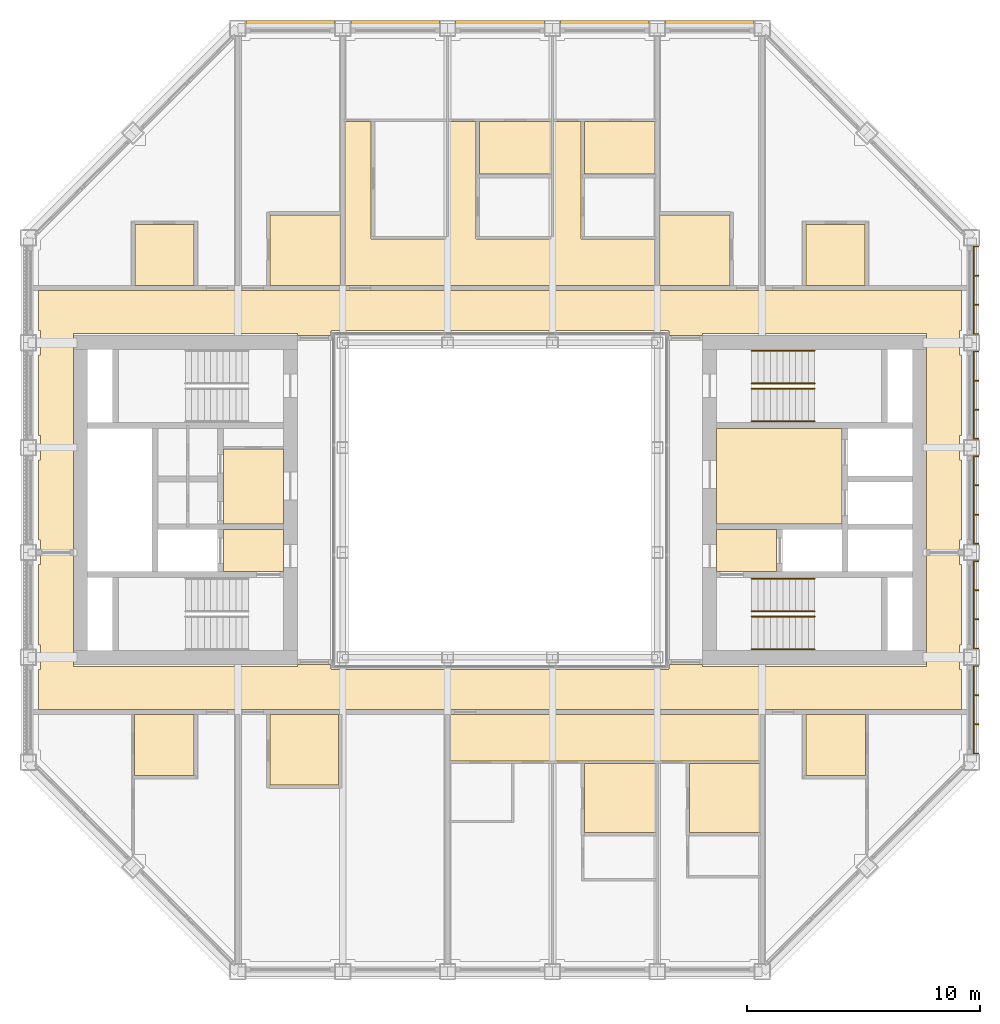
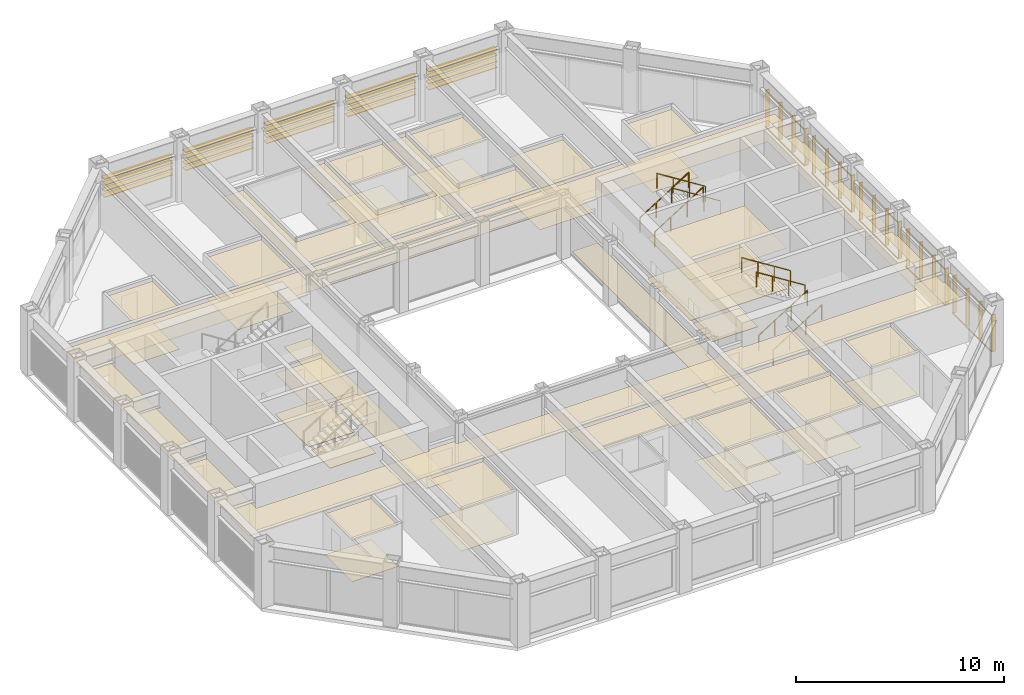
# One storey, part 17 of 17: 8 railings, 4 coverings, 2 shading devices.
"""IFC4 building model written with IfcOpenShell, lengths in metres."""

from ifc_helpers import new_model, si_unit, direction, frame, origin, origin_2d, place, context, subcontext, project, spatial, line, indexed_curve, rectangle, circle, outline, extrude, material, layer, layer_set, type_object, element, save


model = new_model("IFC4")

# Units and contexts
model_context = context("Model", 3, precision=1e-05, world=origin(), true_north=direction((0.0, 1.0)))
body_context = subcontext(model_context, "Body", "Model", "MODEL_VIEW")
ifc_project = project(units=[si_unit("LENGTHUNIT", "METRE"), si_unit("AREAUNIT", "SQUARE_METRE"), si_unit("VOLUMEUNIT", "CUBIC_METRE"), si_unit("PLANEANGLEUNIT", "RADIAN"), si_unit("MASSUNIT", "GRAM", prefix="KILO")], contexts=[model_context])

# Site, building, storey
site_placement = place(None, origin())
site = spatial("IfcSite", under=ifc_project, at=site_placement, CompositionType="ELEMENT")
building_placement = place(site_placement, origin())
building = spatial("IfcBuilding", under=site, at=building_placement, Name="Msasa Ring Tower", CompositionType="ELEMENT")
storey_placement = place(building_placement, frame((0.0, 0.0, 242.050048828125)))
storey = spatial("IfcBuildingStorey", under=building, at=storey_placement, Name="L63", CompositionType="ELEMENT", Elevation=242.050048828125)

# Shading device
ifc_material_1 = material(Name="Extruded terracotta on aluminium carriers", Category="masonry")
shading_device_type_1 = type_object("IfcShadingDeviceType", Name="BS2 TERRACOTTA FIN SCREEN 40x200 AT 1350", PredefinedType="USERDEFINED", material=ifc_material_1)
shading_device_1_placement = place(storey_placement, origin())
element("IfcShadingDevice", 1, at=shading_device_1_placement, inside=storey, type_object=shading_device_type_1, Name="Terracotta fin screen E L63", ObjectType="BAGUETTE", PredefinedType="USERDEFINED", context=body_context, shape_type="SweptSolid", body=[
    extrude(rectangle(XDim=0.06005859375, YDim=0.0400390625, at=origin_2d()), frame((20.330078125, -10.89990234375, 0.329833984375), z_axis=(0.0, 1.0, 0.0), x_axis=(0.0, 0.0, 1.0)), (0.0, 0.0, 1.0), 3.800048828125),
    extrude(rectangle(XDim=0.06005859375, YDim=0.0400390625, at=origin_2d()), frame((20.330078125, -10.89990234375, 2.448974609375), z_axis=(0.0, 1.0, 0.0), x_axis=(0.0, 0.0, 1.0)), (0.0, 0.0, 1.0), 3.800048828125),
    extrude(rectangle(XDim=0.0400390625, YDim=0.199951171875, at=origin_2d()), frame((20.445068359375, -10.8798828125, 0.300048828125), z_axis=(0.0, 0.0, 1.0), x_axis=(0.0, 1.0, 0.0)), (0.0, 0.0, 1.0), 2.178955078125),
    extrude(rectangle(XDim=0.0400390625, YDim=0.199951171875, at=origin_2d()), frame((20.445068359375, -9.626708984375, 0.300048828125), z_axis=(0.0, 0.0, 1.0), x_axis=(0.0, 1.0, 0.0)), (0.0, 0.0, 1.0), 2.178955078125),
    extrude(rectangle(XDim=0.0400390625, YDim=0.199951171875, at=origin_2d()), frame((20.445068359375, -8.373291015625, 0.300048828125), z_axis=(0.0, 0.0, 1.0), x_axis=(0.0, 1.0, 0.0)), (0.0, 0.0, 1.0), 2.178955078125),
    extrude(rectangle(XDim=0.0400390625, YDim=0.199951171875, at=origin_2d()), frame((20.445068359375, -7.1201171875, 0.300048828125), z_axis=(0.0, 0.0, 1.0), x_axis=(0.0, 1.0, 0.0)), (0.0, 0.0, 1.0), 2.178955078125),
    extrude(rectangle(XDim=0.06005859375, YDim=0.0400390625, at=origin_2d()), frame((20.330078125, -6.39990234375, 0.329833984375), z_axis=(0.0, 1.0, 0.0), x_axis=(0.0, 0.0, 1.0)), (0.0, 0.0, 1.0), 3.800048828125),
    extrude(rectangle(XDim=0.06005859375, YDim=0.0400390625, at=origin_2d()), frame((20.330078125, -6.39990234375, 2.448974609375), z_axis=(0.0, 1.0, 0.0), x_axis=(0.0, 0.0, 1.0)), (0.0, 0.0, 1.0), 3.800048828125),
    extrude(rectangle(XDim=0.0400390625, YDim=0.199951171875, at=origin_2d()), frame((20.445068359375, -6.3798828125, 0.300048828125), z_axis=(0.0, 0.0, 1.0), x_axis=(0.0, 1.0, 0.0)), (0.0, 0.0, 1.0), 2.178955078125),
    extrude(rectangle(XDim=0.0400390625, YDim=0.199951171875, at=origin_2d()), frame((20.445068359375, -5.126708984375, 0.300048828125), z_axis=(0.0, 0.0, 1.0), x_axis=(0.0, 1.0, 0.0)), (0.0, 0.0, 1.0), 2.178955078125),
    extrude(rectangle(XDim=0.0400390625, YDim=0.199951171875, at=origin_2d()), frame((20.445068359375, -3.873291015625, 0.300048828125), z_axis=(0.0, 0.0, 1.0), x_axis=(0.0, 1.0, 0.0)), (0.0, 0.0, 1.0), 2.178955078125),
    extrude(rectangle(XDim=0.0400390625, YDim=0.199951171875, at=origin_2d()), frame((20.445068359375, -2.6201171875, 0.300048828125), z_axis=(0.0, 0.0, 1.0), x_axis=(0.0, 1.0, 0.0)), (0.0, 0.0, 1.0), 2.178955078125),
    extrude(rectangle(XDim=0.06005859375, YDim=0.0400390625, at=origin_2d()), frame((20.330078125, -1.89990234375, 0.329833984375), z_axis=(0.0, 1.0, 0.0), x_axis=(0.0, 0.0, 1.0)), (0.0, 0.0, 1.0), 3.800048828125),
    extrude(rectangle(XDim=0.06005859375, YDim=0.0400390625, at=origin_2d()), frame((20.330078125, -1.89990234375, 2.448974609375), z_axis=(0.0, 1.0, 0.0), x_axis=(0.0, 0.0, 1.0)), (0.0, 0.0, 1.0), 3.800048828125),
    extrude(rectangle(XDim=0.0400390625, YDim=0.199951171875, at=origin_2d()), frame((20.445068359375, -1.8798828125, 0.300048828125), z_axis=(0.0, 0.0, 1.0), x_axis=(0.0, 1.0, 0.0)), (0.0, 0.0, 1.0), 2.178955078125),
    extrude(rectangle(XDim=0.0400390625, YDim=0.199951171875, at=origin_2d()), frame((20.445068359375, -0.626708984375, 0.300048828125), z_axis=(0.0, 0.0, 1.0), x_axis=(0.0, 1.0, 0.0)), (0.0, 0.0, 1.0), 2.178955078125),
    extrude(rectangle(XDim=0.0400390625, YDim=0.199951171875, at=origin_2d()), frame((20.445068359375, 0.626708984375, 0.300048828125), z_axis=(0.0, 0.0, 1.0), x_axis=(0.0, 1.0, 0.0)), (0.0, 0.0, 1.0), 2.178955078125),
    extrude(rectangle(XDim=0.0400390625, YDim=0.199951171875, at=origin_2d()), frame((20.445068359375, 1.8798828125, 0.300048828125), z_axis=(0.0, 0.0, 1.0), x_axis=(0.0, 1.0, 0.0)), (0.0, 0.0, 1.0), 2.178955078125),
    extrude(rectangle(XDim=0.06005859375, YDim=0.0400390625, at=origin_2d()), frame((20.330078125, 2.60009765625, 0.329833984375), z_axis=(0.0, 1.0, 0.0), x_axis=(0.0, 0.0, 1.0)), (0.0, 0.0, 1.0), 3.800048828125),
    extrude(rectangle(XDim=0.06005859375, YDim=0.0400390625, at=origin_2d()), frame((20.330078125, 2.60009765625, 2.448974609375), z_axis=(0.0, 1.0, 0.0), x_axis=(0.0, 0.0, 1.0)), (0.0, 0.0, 1.0), 3.800048828125),
    extrude(rectangle(XDim=0.0400390625, YDim=0.199951171875, at=origin_2d()), frame((20.445068359375, 2.6201171875, 0.300048828125), z_axis=(0.0, 0.0, 1.0), x_axis=(0.0, 1.0, 0.0)), (0.0, 0.0, 1.0), 2.178955078125),
    extrude(rectangle(XDim=0.0400390625, YDim=0.199951171875, at=origin_2d()), frame((20.445068359375, 3.873291015625, 0.300048828125), z_axis=(0.0, 0.0, 1.0), x_axis=(0.0, 1.0, 0.0)), (0.0, 0.0, 1.0), 2.178955078125),
    extrude(rectangle(XDim=0.0400390625, YDim=0.199951171875, at=origin_2d()), frame((20.445068359375, 5.126708984375, 0.300048828125), z_axis=(0.0, 0.0, 1.0), x_axis=(0.0, 1.0, 0.0)), (0.0, 0.0, 1.0), 2.178955078125),
    extrude(rectangle(XDim=0.0400390625, YDim=0.199951171875, at=origin_2d()), frame((20.445068359375, 6.3798828125, 0.300048828125), z_axis=(0.0, 0.0, 1.0), x_axis=(0.0, 1.0, 0.0)), (0.0, 0.0, 1.0), 2.178955078125),
    extrude(rectangle(XDim=0.06005859375, YDim=0.0400390625, at=origin_2d()), frame((20.330078125, 7.10009765625, 0.329833984375), z_axis=(0.0, 1.0, 0.0), x_axis=(0.0, 0.0, 1.0)), (0.0, 0.0, 1.0), 3.800048828125),
    extrude(rectangle(XDim=0.06005859375, YDim=0.0400390625, at=origin_2d()), frame((20.330078125, 7.10009765625, 2.448974609375), z_axis=(0.0, 1.0, 0.0), x_axis=(0.0, 0.0, 1.0)), (0.0, 0.0, 1.0), 3.800048828125),
    extrude(rectangle(XDim=0.0400390625, YDim=0.199951171875, at=origin_2d()), frame((20.445068359375, 7.1201171875, 0.300048828125), z_axis=(0.0, 0.0, 1.0), x_axis=(0.0, 1.0, 0.0)), (0.0, 0.0, 1.0), 2.178955078125),
    extrude(rectangle(XDim=0.0400390625, YDim=0.199951171875, at=origin_2d()), frame((20.445068359375, 8.373291015625, 0.300048828125), z_axis=(0.0, 0.0, 1.0), x_axis=(0.0, 1.0, 0.0)), (0.0, 0.0, 1.0), 2.178955078125),
    extrude(rectangle(XDim=0.0400390625, YDim=0.199951171875, at=origin_2d()), frame((20.445068359375, 9.626708984375, 0.300048828125), z_axis=(0.0, 0.0, 1.0), x_axis=(0.0, 1.0, 0.0)), (0.0, 0.0, 1.0), 2.178955078125),
    extrude(rectangle(XDim=0.0400390625, YDim=0.199951171875, at=origin_2d()), frame((20.445068359375, 10.8798828125, 0.300048828125), z_axis=(0.0, 0.0, 1.0), x_axis=(0.0, 1.0, 0.0)), (0.0, 0.0, 1.0), 2.178955078125),
])

# Coverings
ifc_material_2 = material(Name="Gypsum plasterboard on a steel suspension grid", Category="steel")
ifc_layer_1 = layer(ifc_material_2, 0.014892578125)
ifc_layer_set_1 = layer_set([ifc_layer_1], Name="C1 SUSPENDED PLASTERBOARD CEILING 15")
covering_type_1 = type_object("IfcCoveringType", Name="C1 SUSPENDED PLASTERBOARD CEILING 15", PredefinedType="CEILING", material=ifc_layer_set_1)
covering_1_placement = place(storey_placement, frame((0.0, 0.0, 2.39990234375)))
element("IfcCovering", 2, at=covering_1_placement, inside=storey, type_object=covering_type_1, Name="Suspended Plasterboard Ceiling 15 circulation L63", PredefinedType="CEILING", context=body_context, shape_type="SweptSolid", body=[
    extrude(outline(indexed_curve([(8.699462890625, -7.150390625), (18.300537109375, -7.150390625), (18.300537109375, -2.3505859375), (19.724609375, -2.3505859375), (19.724609375, -2.775390625), (19.799560546875, -2.775390625), (19.799560546875, -6.224609375), (19.724609375, -6.224609375), (19.724609375, -7.275390625), (19.799560546875, -7.275390625), (19.799560546875, -8.99951171875), (-19.799560546875, -8.99951171875), (-19.799560546875, -7.275390625), (-19.724609375, -7.275390625), (-19.724609375, -6.224609375), (-19.799560546875, -6.224609375), (-19.799560546875, -2.775390625), (-19.724609375, -2.775390625), (-19.724609375, -2.3505859375), (-18.300537109375, -2.3505859375), (-18.300537109375, -7.150390625), (-8.699462890625, -7.150390625), (-8.699462890625, -7.050537109375), (-7.280029296875, -7.050537109375), (-7.280517578125, -7.23046875), (-7.22998046875, -7.23046875), (-7.22998046875, -7.280029296875), (7.22998046875, -7.280029296875), (7.22998046875, -7.23046875), (7.280517578125, -7.23046875), (7.280029296875, -7.050537109375), (8.699462890625, -7.050537109375)], segments=[line(1, 2, 3, 4, 5, 6, 7, 8, 9, 10, 11, 12, 13, 14, 15, 16, 17, 18, 19, 20, 21, 22, 23, 24, 25, 26, 27, 28, 29, 30, 31, 32, 1)], self_intersect=False)), origin(), (0.0, 0.0, 1.0), 0.01513671875),
    extrude(outline(indexed_curve([(19.799560546875, 7.275390625), (19.724609375, 7.275390625), (19.724609375, 6.224609375), (19.799560546875, 6.224609375), (19.799560546875, 2.775390625), (19.724609375, 2.775390625), (19.724609375, 1.724609375), (19.799560546875, 1.724609375), (19.799560546875, -1.724609375), (19.724609375, -1.724609375), (19.724609375, -2.1494140625), (18.300537109375, -2.1494140625), (18.300537109375, 7.150390625), (8.699462890625, 7.150390625), (8.699462890625, 7.050537109375), (7.280029296875, 7.050537109375), (7.280517578125, 7.23046875), (7.22998046875, 7.23046875), (7.22998046875, 7.280029296875), (-7.22998046875, 7.280029296875), (-7.22998046875, 7.23046875), (-7.280517578125, 7.23046875), (-7.280029296875, 7.050537109375), (-8.699462890625, 7.050537109375), (-8.699462890625, 7.150390625), (-18.300537109375, 7.150390625), (-18.300537109375, -2.1494140625), (-19.724609375, -2.1494140625), (-19.724609375, -1.724609375), (-19.799560546875, -1.724609375), (-19.799560546875, 1.724609375), (-19.724609375, 1.724609375), (-19.724609375, 2.775390625), (-19.799560546875, 2.775390625), (-19.799560546875, 6.224609375), (-19.724609375, 6.224609375), (-19.724609375, 7.275390625), (-19.799560546875, 7.275390625), (-19.799560546875, 8.99951171875), (19.799560546875, 8.99951171875)], segments=[line(1, 2, 3, 4, 5, 6, 7, 8, 9, 10, 11, 12, 13, 14, 15, 16, 17, 18, 19, 20, 21, 22, 23, 24, 25, 26, 27, 28, 29, 30, 31, 32, 33, 34, 35, 36, 37, 38, 39, 40, 1)], self_intersect=False)), origin(), (0.0, 0.0, 1.0), 0.01513671875),
    extrude(outline(indexed_curve([(-11.87451171875, -3.074462890625), (-11.87451171875, -1.275390625), (-9.300537109375, -1.275390625), (-9.300537109375, -3.074462890625)], segments=[line(1, 2, 3, 4, 1)], self_intersect=False)), origin(), (0.0, 0.0, 1.0), 0.01513671875),
    extrude(outline(indexed_curve([(-11.87451171875, -1.0244140625), (-11.87451171875, 2.194580078125), (-9.300537109375, 2.194580078125), (-9.300537109375, -1.0244140625)], segments=[line(1, 2, 3, 4, 1)], self_intersect=False)), origin(), (0.0, 0.0, 1.0), 0.01513671875),
    extrude(outline(indexed_curve([(-5.530517578125, 11.199462890625), (-2.189453125, 11.199462890625), (-2.189453125, 16.244384765625), (-1.030517578125, 16.244384765625), (-1.030517578125, 11.199462890625), (2.310546875, 11.199462890625), (2.310546875, 16.244384765625), (3.469482421875, 16.244384765625), (3.469482421875, 11.199462890625), (6.6494140625, 11.199462890625), (6.6494140625, 9.200439453125), (-6.6494140625, 9.200439453125), (-6.6494140625, 16.244384765625), (-5.530517578125, 16.244384765625)], segments=[line(1, 2, 3, 4, 5, 6, 7, 8, 9, 10, 11, 12, 13, 14, 1)], self_intersect=False)), origin(), (0.0, 0.0, 1.0), 0.01513671875),
    extrude(outline(indexed_curve([(-2.1494140625, -11.199462890625), (-2.1494140625, -9.200439453125), (11.1494140625, -9.200439453125), (11.1494140625, -11.199462890625)], segments=[line(1, 2, 3, 4, 1)], self_intersect=False)), origin(), (0.0, 0.0, 1.0), 0.01513671875),
    extrude(outline(indexed_curve([(9.300537109375, -3.074462890625), (9.300537109375, -1.275390625), (11.87451171875, -1.275390625), (11.87451171875, -3.074462890625)], segments=[line(1, 2, 3, 4, 1)], self_intersect=False)), origin(), (0.0, 0.0, 1.0), 0.01513671875),
    extrude(outline(indexed_curve([(9.300537109375, -1.0244140625), (9.300537109375, 3.074462890625), (14.674560546875, 3.074462890625), (14.674560546875, -1.0244140625)], segments=[line(1, 2, 3, 4, 1)], self_intersect=False)), origin(), (0.0, 0.0, 1.0), 0.01513671875),
])
ifc_material_3 = material(Name="Moisture-resistant gypsum plasterboard on a steel suspension grid", Category="steel")
ifc_layer_2 = layer(ifc_material_3, 0.014892578125)
ifc_layer_set_2 = layer_set([ifc_layer_2], Name="C2 MOISTURE-RESISTANT PLASTERBOARD CEILING 15")
covering_type_2 = type_object("IfcCoveringType", Name="C2 MOISTURE-RESISTANT PLASTERBOARD CEILING 15", PredefinedType="CEILING", material=ifc_layer_set_2)
covering_2_placement = place(storey_placement, frame((0.0, 0.0, 2.39990234375)))
element("IfcCovering", 3, at=covering_2_placement, inside=storey, type_object=covering_type_2, Name="Moisture-Resistant Plasterboard Ceiling 15 L63", PredefinedType="CEILING", context=body_context, shape_type="SweptSolid", body=[
    extrude(outline(indexed_curve([(-15.689453125, -11.819580078125), (-15.689453125, -9.200439453125), (-13.130615234375, -9.200439453125), (-13.130615234375, -11.819580078125)], segments=[line(1, 2, 3, 4, 1)], self_intersect=False)), origin(), (0.0, 0.0, 1.0), 0.01513671875),
    extrude(outline(indexed_curve([(-15.66943359375, 11.819580078125), (-13.130615234375, 11.819580078125), (-13.130615234375, 9.200439453125), (-15.66943359375, 9.200439453125)], segments=[line(1, 2, 3, 4, 1)], self_intersect=False)), origin(), (0.0, 0.0, 1.0), 0.01513671875),
    extrude(outline(indexed_curve([(-6.925537109375, -9.200439453125), (-6.925537109375, -12.224609375), (-9.87451171875, -12.224609375), (-9.87451171875, -9.200439453125)], segments=[line(1, 2, 3, 4, 1)], self_intersect=False)), origin(), (0.0, 0.0, 1.0), 0.01513671875),
    extrude(outline(indexed_curve([(-9.87451171875, 9.200439453125), (-9.87451171875, 12.224609375), (-6.8505859375, 12.224609375), (-6.8505859375, 9.200439453125)], segments=[line(1, 2, 3, 4, 1)], self_intersect=False)), origin(), (0.0, 0.0, 1.0), 0.01513671875),
    extrude(outline(indexed_curve([(-0.869384765625, 13.98046875), (-0.869384765625, 16.244384765625), (2.189453125, 16.244384765625), (2.189453125, 13.98046875)], segments=[line(1, 2, 3, 4, 1)], self_intersect=False)), origin(), (0.0, 0.0, 1.0), 0.01513671875),
    extrude(outline(indexed_curve([(6.689453125, -11.300537109375), (6.689453125, -14.2744140625), (3.62548828125, -14.2744140625), (3.62548828125, -11.300537109375)], segments=[line(1, 2, 3, 4, 1)], self_intersect=False)), origin(), (0.0, 0.0, 1.0), 0.01513671875),
    extrude(outline(indexed_curve([(3.630615234375, 16.244384765625), (6.6494140625, 16.244384765625), (6.6494140625, 13.98046875), (3.630615234375, 13.98046875)], segments=[line(1, 2, 3, 4, 1)], self_intersect=False)), origin(), (0.0, 0.0, 1.0), 0.01513671875),
    extrude(outline(indexed_curve([(6.8505859375, 9.200439453125), (6.8505859375, 12.224609375), (9.87451171875, 12.224609375), (9.87451171875, 9.200439453125)], segments=[line(1, 2, 3, 4, 1)], self_intersect=False)), origin(), (0.0, 0.0, 1.0), 0.01513671875),
    extrude(outline(indexed_curve([(11.1494140625, -11.300537109375), (11.1494140625, -14.2744140625), (8.12548828125, -14.2744140625), (8.12548828125, -11.300537109375)], segments=[line(1, 2, 3, 4, 1)], self_intersect=False)), origin(), (0.0, 0.0, 1.0), 0.01513671875),
    extrude(outline(indexed_curve([(13.130615234375, -9.200439453125), (15.689453125, -9.200439453125), (15.689453125, -11.819580078125), (13.130615234375, -11.819580078125)], segments=[line(1, 2, 3, 4, 1)], self_intersect=False)), origin(), (0.0, 0.0, 1.0), 0.01513671875),
    extrude(outline(indexed_curve([(13.130615234375, 9.200439453125), (13.130615234375, 11.819580078125), (15.66943359375, 11.819580078125), (15.66943359375, 9.200439453125)], segments=[line(1, 2, 3, 4, 1)], self_intersect=False)), origin(), (0.0, 0.0, 1.0), 0.01513671875),
])
ifc_material_4 = material(Name="Honed granite tiles on a mortar bed", Category="masonry")
ifc_layer_3 = layer(ifc_material_4, 0.030029296875)
ifc_layer_set_3 = layer_set([ifc_layer_3], Name="F1 HONED GRANITE ON BEDDING 30")
covering_type_3 = type_object("IfcCoveringType", Name="F1 HONED GRANITE ON BEDDING 30", PredefinedType="FLOORING", material=ifc_layer_set_3)
covering_3_placement = place(storey_placement, origin())
element("IfcCovering", 4, at=covering_3_placement, inside=storey, type_object=covering_type_3, Name="Honed Granite On Bedding 30 L63", PredefinedType="FLOORING", context=body_context, shape_type="SweptSolid", body=[
    extrude(outline(indexed_curve([(-11.87451171875, -3.074462890625), (-11.87451171875, -1.275390625), (-9.300537109375, -1.275390625), (-9.300537109375, -3.074462890625)], segments=[line(1, 2, 3, 4, 1)], self_intersect=False)), origin(), (0.0, 0.0, 1.0), 0.030029296875),
    extrude(outline(indexed_curve([(-11.87451171875, 2.194580078125), (-9.300537109375, 2.194580078125), (-9.300537109375, -1.0244140625), (-11.87451171875, -1.0244140625)], segments=[line(1, 2, 3, 4, 1)], self_intersect=False)), origin(), (0.0, 0.0, 1.0), 0.030029296875),
    extrude(outline(indexed_curve([(-8.699462890625, 6.849609375), (-7.280029296875, 6.849609375), (-7.280029296875, -6.849609375), (-8.699462890625, -6.849609375)], segments=[line(1, 2, 3, 4, 1)], self_intersect=False)), origin(), (0.0, 0.0, 1.0), 0.030029296875),
    extrude(outline(indexed_curve([(7.280029296875, -6.849609375), (7.280029296875, 6.849609375), (8.699462890625, 6.849609375), (8.699462890625, -6.849609375)], segments=[line(1, 2, 3, 4, 1)], self_intersect=False)), origin(), (0.0, 0.0, 1.0), 0.030029296875),
    extrude(outline(indexed_curve([(9.300537109375, -1.275390625), (11.87451171875, -1.275390625), (11.87451171875, -3.074462890625), (9.300537109375, -3.074462890625)], segments=[line(1, 2, 3, 4, 1)], self_intersect=False)), origin(), (0.0, 0.0, 1.0), 0.030029296875),
    extrude(outline(indexed_curve([(9.300537109375, 3.074462890625), (14.674560546875, 3.074462890625), (14.674560546875, -1.0244140625), (9.300537109375, -1.0244140625)], segments=[line(1, 2, 3, 4, 1)], self_intersect=False)), origin(), (0.0, 0.0, 1.0), 0.030029296875),
])
ifc_material_5 = material(Name="Porcelain floor tiles in adhesive", Category="ceramic")
ifc_layer_4 = layer(ifc_material_5, 0.010009765625)
ifc_layer_set_4 = layer_set([ifc_layer_4], Name="F4 PORCELAIN TILE ON ADHESIVE 10")
covering_type_4 = type_object("IfcCoveringType", Name="F4 PORCELAIN TILE ON ADHESIVE 10", PredefinedType="FLOORING", material=ifc_layer_set_4)
covering_4_placement = place(storey_placement, origin())
element("IfcCovering", 5, at=covering_4_placement, inside=storey, type_object=covering_type_4, Name="Porcelain Tile On Adhesive 10 L63", PredefinedType="FLOORING", context=body_context, shape_type="SweptSolid", body=[
    extrude(outline(indexed_curve([(-15.689453125, -9.200439453125), (-13.130615234375, -9.200439453125), (-13.130615234375, -11.819580078125), (-15.689453125, -11.819580078125)], segments=[line(1, 2, 3, 4, 1)], self_intersect=False)), origin(), (0.0, 0.0, 1.0), 0.010009765625),
    extrude(outline(indexed_curve([(-13.130615234375, 11.819580078125), (-13.130615234375, 9.200439453125), (-15.66943359375, 9.200439453125), (-15.66943359375, 11.819580078125)], segments=[line(1, 2, 3, 4, 1)], self_intersect=False)), origin(), (0.0, 0.0, 1.0), 0.010009765625),
    extrude(outline(indexed_curve([(-6.925537109375, -9.200439453125), (-6.925537109375, -12.224609375), (-9.87451171875, -12.224609375), (-9.87451171875, -9.200439453125)], segments=[line(1, 2, 3, 4, 1)], self_intersect=False)), origin(), (0.0, 0.0, 1.0), 0.010009765625),
    extrude(outline(indexed_curve([(-9.87451171875, 9.200439453125), (-9.87451171875, 12.224609375), (-6.8505859375, 12.224609375), (-6.8505859375, 9.200439453125)], segments=[line(1, 2, 3, 4, 1)], self_intersect=False)), origin(), (0.0, 0.0, 1.0), 0.010009765625),
    extrude(outline(indexed_curve([(-0.869384765625, 16.244384765625), (2.189453125, 16.244384765625), (2.189453125, 13.98046875), (-0.869384765625, 13.98046875)], segments=[line(1, 2, 3, 4, 1)], self_intersect=False)), origin(), (0.0, 0.0, 1.0), 0.010009765625),
    extrude(outline(indexed_curve([(6.689453125, -11.300537109375), (6.689453125, -14.2744140625), (3.62548828125, -14.2744140625), (3.62548828125, -11.300537109375)], segments=[line(1, 2, 3, 4, 1)], self_intersect=False)), origin(), (0.0, 0.0, 1.0), 0.010009765625),
    extrude(outline(indexed_curve([(6.6494140625, 16.244384765625), (6.6494140625, 13.98046875), (3.630615234375, 13.98046875), (3.630615234375, 16.244384765625)], segments=[line(1, 2, 3, 4, 1)], self_intersect=False)), origin(), (0.0, 0.0, 1.0), 0.010009765625),
    extrude(outline(indexed_curve([(6.8505859375, 9.200439453125), (6.8505859375, 12.224609375), (9.87451171875, 12.224609375), (9.87451171875, 9.200439453125)], segments=[line(1, 2, 3, 4, 1)], self_intersect=False)), origin(), (0.0, 0.0, 1.0), 0.010009765625),
    extrude(outline(indexed_curve([(11.1494140625, -11.300537109375), (11.1494140625, -14.2744140625), (8.12548828125, -14.2744140625), (8.12548828125, -11.300537109375)], segments=[line(1, 2, 3, 4, 1)], self_intersect=False)), origin(), (0.0, 0.0, 1.0), 0.010009765625),
    extrude(outline(indexed_curve([(15.689453125, -9.200439453125), (15.689453125, -11.819580078125), (13.130615234375, -11.819580078125), (13.130615234375, -9.200439453125)], segments=[line(1, 2, 3, 4, 1)], self_intersect=False)), origin(), (0.0, 0.0, 1.0), 0.010009765625),
    extrude(outline(indexed_curve([(13.130615234375, 11.819580078125), (15.66943359375, 11.819580078125), (15.66943359375, 9.200439453125), (13.130615234375, 9.200439453125)], segments=[line(1, 2, 3, 4, 1)], self_intersect=False)), origin(), (0.0, 0.0, 1.0), 0.010009765625),
])

# Railings
ifc_material_6 = material(Name="Stainless steel", Category="steel")
railing_type = type_object("IfcRailingType", Name="HR1 HANDRAIL 900", PredefinedType="HANDRAIL", material=ifc_material_6)
for number, where, name in (
    (6, (10.800048828125, -6.39990234375, 0.17041015625), "Handrail stair SEA L63 1"),
    (7, (10.800048828125, -5.0, 0.17041015625), "Handrail stair SEA L63 2"),
):
    element("IfcRailing", number, at=place(storey_placement, frame(where)), inside=storey, type_object=railing_type, Name=name, PredefinedType="HANDRAIL", context=body_context, shape_type="SweptSolid", body=[
        extrude(circle(Radius=0.02392578125, at=origin_2d()), frame((0.0, 0.0, 0.8759765625), z_axis=(0.845579735284, 0.0, 0.533849146555), x_axis=(0.0, 1.0, 0.0)), (0.0, 0.0, 1.0), 3.193115234375),
        extrude(circle(Radius=0.02099609375, at=origin_2d()), origin(), (0.0, 0.0, 1.0), 0.851806640625),
        extrude(circle(Radius=0.02099609375, at=origin_2d()), frame((0.89990234375, 0.0, 0.568115234375)), (0.0, 0.0, 1.0), 0.851806640625),
        extrude(circle(Radius=0.02099609375, at=origin_2d()), frame((1.800048828125, 0.0, 1.136474609375)), (0.0, 0.0, 1.0), 0.851806640625),
        extrude(circle(Radius=0.02099609375, at=origin_2d()), frame((2.699951171875, 0.0, 1.70458984375)), (0.0, 0.0, 1.0), 0.851806640625),
    ])
for number, where, name in (
    (8, (13.5, -4.77490234375, 2.04541015625), "Handrail stair SEA L63 3"),
    (9, (13.5, -3.375, 2.04541015625), "Handrail stair SEA L63 4"),
):
    element("IfcRailing", number, at=place(storey_placement, frame(where)), inside=storey, type_object=railing_type, Name=name, PredefinedType="HANDRAIL", context=body_context, shape_type="SweptSolid", body=[
        extrude(circle(Radius=0.02392578125, at=origin_2d()), frame((0.0, 0.0, 0.8759765625), z_axis=(-0.845579735284, 0.0, 0.533849146555), x_axis=(0.0, -1.0, 0.0)), (0.0, 0.0, 1.0), 3.193115234375),
        extrude(circle(Radius=0.02099609375, at=origin_2d()), origin(), (0.0, 0.0, 1.0), 0.851806640625),
        extrude(circle(Radius=0.02099609375, at=origin_2d()), frame((-0.89990234375, 0.0, 0.568115234375)), (0.0, 0.0, 1.0), 0.851806640625),
        extrude(circle(Radius=0.02099609375, at=origin_2d()), frame((-1.800048828125, 0.0, 1.136474609375)), (0.0, 0.0, 1.0), 0.851806640625),
        extrude(circle(Radius=0.02099609375, at=origin_2d()), frame((-2.699951171875, 0.0, 1.70458984375)), (0.0, 0.0, 1.0), 0.851806640625),
    ])
for number, where, name in (
    (10, (10.800048828125, 5.0, 0.17041015625), "Handrail stair SEB L63 1"),
    (11, (10.800048828125, 6.39990234375, 0.17041015625), "Handrail stair SEB L63 2"),
):
    element("IfcRailing", number, at=place(storey_placement, frame(where)), inside=storey, type_object=railing_type, Name=name, PredefinedType="HANDRAIL", context=body_context, shape_type="SweptSolid", body=[
        extrude(circle(Radius=0.02392578125, at=origin_2d()), frame((0.0, 0.0, 0.8759765625), z_axis=(0.845579735284, 0.0, 0.533849146555), x_axis=(0.0, 1.0, 0.0)), (0.0, 0.0, 1.0), 3.193115234375),
        extrude(circle(Radius=0.02099609375, at=origin_2d()), origin(), (0.0, 0.0, 1.0), 0.851806640625),
        extrude(circle(Radius=0.02099609375, at=origin_2d()), frame((0.89990234375, 0.0, 0.568115234375)), (0.0, 0.0, 1.0), 0.851806640625),
        extrude(circle(Radius=0.02099609375, at=origin_2d()), frame((1.800048828125, 0.0, 1.136474609375)), (0.0, 0.0, 1.0), 0.851806640625),
        extrude(circle(Radius=0.02099609375, at=origin_2d()), frame((2.699951171875, 0.0, 1.70458984375)), (0.0, 0.0, 1.0), 0.851806640625),
    ])
for number, where, name in (
    (12, (13.5, 3.375, 2.04541015625), "Handrail stair SEB L63 3"),
    (13, (13.5, 4.77490234375, 2.04541015625), "Handrail stair SEB L63 4"),
):
    element("IfcRailing", number, at=place(storey_placement, frame(where)), inside=storey, type_object=railing_type, Name=name, PredefinedType="HANDRAIL", context=body_context, shape_type="SweptSolid", body=[
        extrude(circle(Radius=0.02392578125, at=origin_2d()), frame((0.0, 0.0, 0.8759765625), z_axis=(-0.845579735284, 0.0, 0.533849146555), x_axis=(0.0, -1.0, 0.0)), (0.0, 0.0, 1.0), 3.193115234375),
        extrude(circle(Radius=0.02099609375, at=origin_2d()), origin(), (0.0, 0.0, 1.0), 0.851806640625),
        extrude(circle(Radius=0.02099609375, at=origin_2d()), frame((-0.89990234375, 0.0, 0.568115234375)), (0.0, 0.0, 1.0), 0.851806640625),
        extrude(circle(Radius=0.02099609375, at=origin_2d()), frame((-1.800048828125, 0.0, 1.136474609375)), (0.0, 0.0, 1.0), 0.851806640625),
        extrude(circle(Radius=0.02099609375, at=origin_2d()), frame((-2.699951171875, 0.0, 1.70458984375)), (0.0, 0.0, 1.0), 0.851806640625),
    ])

# Shading device
ifc_material_7 = material(Name="Extruded terracotta blades", Category="masonry")
shading_device_type_2 = type_object("IfcShadingDeviceType", Name="SS1 TERRACOTTA SUNSHADE 4 BLADES 300x40 AT 350", PredefinedType="USERDEFINED", material=ifc_material_7)
shading_device_2_placement = place(storey_placement, origin())
element("IfcShadingDevice", 14, at=shading_device_2_placement, inside=storey, type_object=shading_device_type_2, Name="Terracotta sunshade N L63", ObjectType="SUNSHADE", PredefinedType="USERDEFINED", context=body_context, shape_type="SweptSolid", body=[
    extrude(rectangle(XDim=0.0400390625, YDim=0.300048828125, at=origin_2d()), frame((-10.89990234375, 20.429931640625, 2.458984375), z_axis=(1.0, 0.0, 0.0), x_axis=(0.0, 0.0, 1.0)), (0.0, 0.0, 1.0), 3.800048828125),
    extrude(rectangle(XDim=0.0400390625, YDim=0.300048828125, at=origin_2d()), frame((-10.89990234375, 20.429931640625, 2.10888671875), z_axis=(1.0, 0.0, 0.0), x_axis=(0.0, 0.0, 1.0)), (0.0, 0.0, 1.0), 3.800048828125),
    extrude(rectangle(XDim=0.0400390625, YDim=0.300048828125, at=origin_2d()), frame((-10.89990234375, 20.429931640625, 1.759033203125), z_axis=(1.0, 0.0, 0.0), x_axis=(0.0, 0.0, 1.0)), (0.0, 0.0, 1.0), 3.800048828125),
    extrude(rectangle(XDim=0.0400390625, YDim=0.300048828125, at=origin_2d()), frame((-10.89990234375, 20.429931640625, 1.408935546875), z_axis=(1.0, 0.0, 0.0), x_axis=(0.0, 0.0, 1.0)), (0.0, 0.0, 1.0), 3.800048828125),
    extrude(rectangle(XDim=0.0400390625, YDim=0.300048828125, at=origin_2d()), frame((-6.39990234375, 20.429931640625, 2.458984375), z_axis=(1.0, 0.0, 0.0), x_axis=(0.0, 0.0, 1.0)), (0.0, 0.0, 1.0), 3.800048828125),
    extrude(rectangle(XDim=0.0400390625, YDim=0.300048828125, at=origin_2d()), frame((-6.39990234375, 20.429931640625, 2.10888671875), z_axis=(1.0, 0.0, 0.0), x_axis=(0.0, 0.0, 1.0)), (0.0, 0.0, 1.0), 3.800048828125),
    extrude(rectangle(XDim=0.0400390625, YDim=0.300048828125, at=origin_2d()), frame((-6.39990234375, 20.429931640625, 1.759033203125), z_axis=(1.0, 0.0, 0.0), x_axis=(0.0, 0.0, 1.0)), (0.0, 0.0, 1.0), 3.800048828125),
    extrude(rectangle(XDim=0.0400390625, YDim=0.300048828125, at=origin_2d()), frame((-6.39990234375, 20.429931640625, 1.408935546875), z_axis=(1.0, 0.0, 0.0), x_axis=(0.0, 0.0, 1.0)), (0.0, 0.0, 1.0), 3.800048828125),
    extrude(rectangle(XDim=0.0400390625, YDim=0.300048828125, at=origin_2d()), frame((-1.89990234375, 20.429931640625, 2.458984375), z_axis=(1.0, 0.0, 0.0), x_axis=(0.0, 0.0, 1.0)), (0.0, 0.0, 1.0), 3.800048828125),
    extrude(rectangle(XDim=0.0400390625, YDim=0.300048828125, at=origin_2d()), frame((-1.89990234375, 20.429931640625, 2.10888671875), z_axis=(1.0, 0.0, 0.0), x_axis=(0.0, 0.0, 1.0)), (0.0, 0.0, 1.0), 3.800048828125),
    extrude(rectangle(XDim=0.0400390625, YDim=0.300048828125, at=origin_2d()), frame((-1.89990234375, 20.429931640625, 1.759033203125), z_axis=(1.0, 0.0, 0.0), x_axis=(0.0, 0.0, 1.0)), (0.0, 0.0, 1.0), 3.800048828125),
    extrude(rectangle(XDim=0.0400390625, YDim=0.300048828125, at=origin_2d()), frame((-1.89990234375, 20.429931640625, 1.408935546875), z_axis=(1.0, 0.0, 0.0), x_axis=(0.0, 0.0, 1.0)), (0.0, 0.0, 1.0), 3.800048828125),
    extrude(rectangle(XDim=0.0400390625, YDim=0.300048828125, at=origin_2d()), frame((2.60009765625, 20.429931640625, 2.458984375), z_axis=(1.0, 0.0, 0.0), x_axis=(0.0, 0.0, 1.0)), (0.0, 0.0, 1.0), 3.800048828125),
    extrude(rectangle(XDim=0.0400390625, YDim=0.300048828125, at=origin_2d()), frame((2.60009765625, 20.429931640625, 2.10888671875), z_axis=(1.0, 0.0, 0.0), x_axis=(0.0, 0.0, 1.0)), (0.0, 0.0, 1.0), 3.800048828125),
    extrude(rectangle(XDim=0.0400390625, YDim=0.300048828125, at=origin_2d()), frame((2.60009765625, 20.429931640625, 1.759033203125), z_axis=(1.0, 0.0, 0.0), x_axis=(0.0, 0.0, 1.0)), (0.0, 0.0, 1.0), 3.800048828125),
    extrude(rectangle(XDim=0.0400390625, YDim=0.300048828125, at=origin_2d()), frame((2.60009765625, 20.429931640625, 1.408935546875), z_axis=(1.0, 0.0, 0.0), x_axis=(0.0, 0.0, 1.0)), (0.0, 0.0, 1.0), 3.800048828125),
    extrude(rectangle(XDim=0.0400390625, YDim=0.300048828125, at=origin_2d()), frame((7.10009765625, 20.429931640625, 2.458984375), z_axis=(1.0, 0.0, 0.0), x_axis=(0.0, 0.0, 1.0)), (0.0, 0.0, 1.0), 3.800048828125),
    extrude(rectangle(XDim=0.0400390625, YDim=0.300048828125, at=origin_2d()), frame((7.10009765625, 20.429931640625, 2.10888671875), z_axis=(1.0, 0.0, 0.0), x_axis=(0.0, 0.0, 1.0)), (0.0, 0.0, 1.0), 3.800048828125),
    extrude(rectangle(XDim=0.0400390625, YDim=0.300048828125, at=origin_2d()), frame((7.10009765625, 20.429931640625, 1.759033203125), z_axis=(1.0, 0.0, 0.0), x_axis=(0.0, 0.0, 1.0)), (0.0, 0.0, 1.0), 3.800048828125),
    extrude(rectangle(XDim=0.0400390625, YDim=0.300048828125, at=origin_2d()), frame((7.10009765625, 20.429931640625, 1.408935546875), z_axis=(1.0, 0.0, 0.0), x_axis=(0.0, 0.0, 1.0)), (0.0, 0.0, 1.0), 3.800048828125),
])

save(model, "model.ifc")
